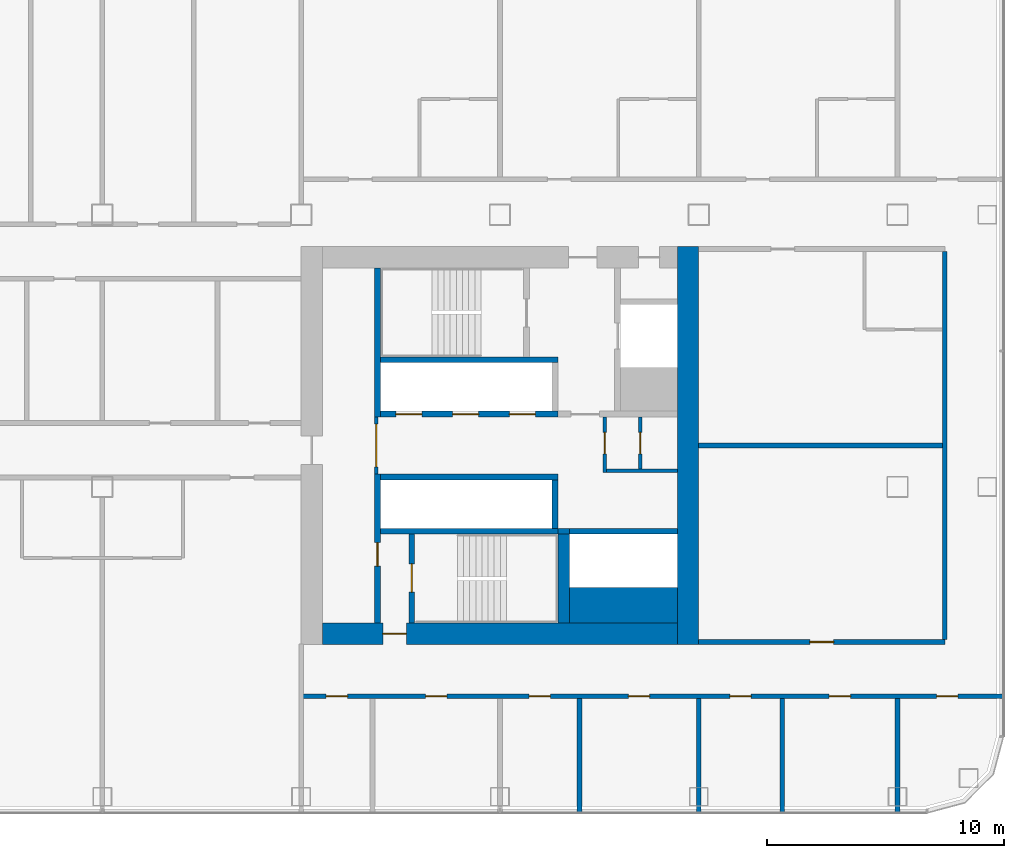
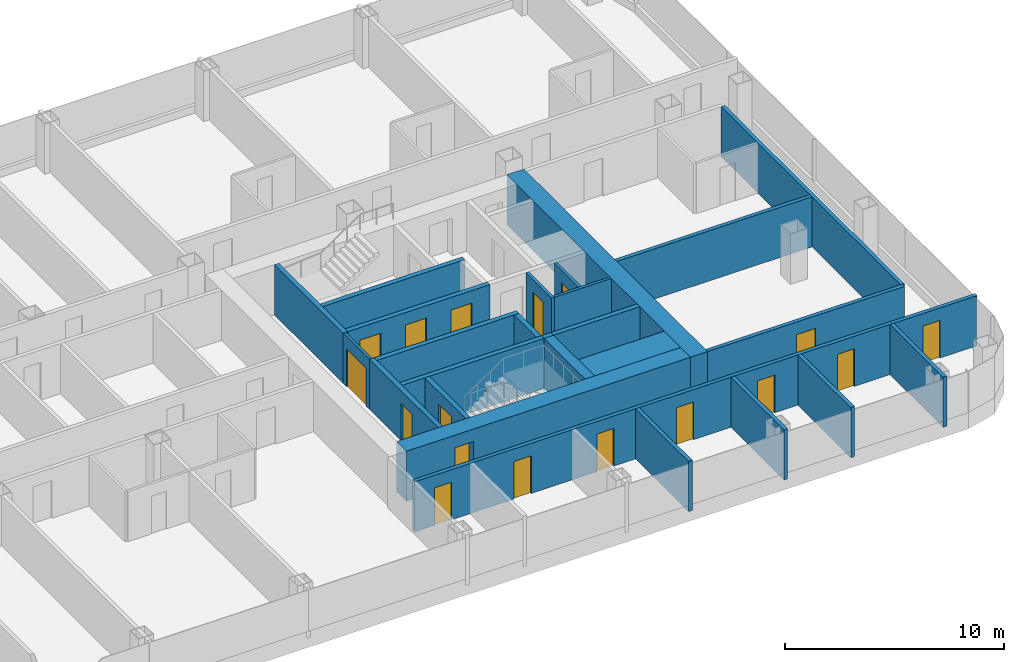
# One storey, part 19 of 29: 26 walls, 17 doors, 17 openings.
"""IFC4 building model written with IfcOpenShell, lengths in metres."""

from ifc_helpers import new_model, si_unit, direction, frame, frame_2d, origin, place, context, subcontext, project, spatial, rectangle, extrude, material, layer, layer_set, type_object, element, fill, save


model = new_model("IFC4")

# Units and contexts
model_context = context("Model", 3, precision=1e-05, world=origin(), true_north=direction((0.0, 1.0)))
body_context = subcontext(model_context, "Body", "Model", "MODEL_VIEW")
ifc_project = project(units=[si_unit("LENGTHUNIT", "METRE"), si_unit("AREAUNIT", "SQUARE_METRE"), si_unit("VOLUMEUNIT", "CUBIC_METRE"), si_unit("PLANEANGLEUNIT", "RADIAN"), si_unit("MASSUNIT", "GRAM", prefix="KILO")], contexts=[model_context])

# Site, building, storey
site_placement = place(None, origin())
site = spatial("IfcSite", under=ifc_project, at=site_placement, CompositionType="ELEMENT")
building_placement = place(site_placement, origin())
building = spatial("IfcBuilding", under=site, at=building_placement, Name="Hakoniwa Tower and Hamabe Station Hall", CompositionType="ELEMENT")
storey_placement = place(building_placement, frame((0.0, 0.0, 91.39990234375)))
storey = spatial("IfcBuildingStorey", under=building, at=storey_placement, Name="L25", CompositionType="ELEMENT", Elevation=91.39990234375)

# Wall, opening, door
ifc_material_1 = material(Name="Gypsum board partition")
ifc_layer_1 = layer(ifc_material_1, 0.14990234375)
ifc_layer_set_1 = layer_set([ifc_layer_1], Name="CORE PARTITION 150 EI 60")
wall_type_1 = type_object("IfcWallType", Name="CORE PARTITION 150 EI 60", PredefinedType="PARTITIONING", material=ifc_layer_set_1)
wall_1_placement = place(storey_placement, frame((19.97509765625, -1.199951171875, 0.0), z_axis=(0.0, 0.0, 1.0), x_axis=(0.0, 1.0, 0.0)))
wall_1 = element("IfcWall", 1, at=wall_1_placement, inside=storey, type_object=wall_type_1, Name="Core partition PL0 east", PredefinedType="PARTITIONING", context=body_context, shape_type="SweptSolid", body=[
    extrude(rectangle(XDim=2.39990234375, YDim=0.14990234375, at=frame_2d((1.199951171875, 0.0))), origin(), (0.0, 0.0, 1.0), 2.800048828125),
])
opening_1_placement = place(wall_1_placement, frame((0.300048828125, 0.0, 0.0)))
opening_1 = element("IfcOpeningElement", 2, at=opening_1_placement, cuts=wall_1, Name="Opening CD-E-LP0-18", PredefinedType="OPENING", context=body_context, shape_type="SweptSolid", body=[
    extrude(rectangle(XDim=1.800048828125, YDim=2.10009765625, at=frame_2d((0.89990234375, 1.050048828125))), frame((0.0, 0.0849609375, 0.0), z_axis=(0.0, -1.0, 0.0), x_axis=(1.0, 0.0, 0.0)), (0.0, 0.0, 1.0), 0.169921875),
])
ifc_material_2 = material(Name="Steel fire door", Category="steel")
door_type_1 = type_object("IfcDoorType", Name="CORE DOOR 1800 FD60", OperationType="DOUBLE_DOOR_SINGLE_SWING", PredefinedType="DOOR", material=ifc_material_2)
door_1_placement = place(opening_1_placement, origin())
door_1 = element("IfcDoor", 3, at=door_1_placement, inside=storey, type_object=door_type_1, Name="Lift lobby partition door", OperationType="DOUBLE_DOOR_SINGLE_SWING", OverallHeight=2.10009765625, OverallWidth=1.800048828125, PredefinedType="DOOR", context=body_context, shape_type="SweptSolid", body=[
    extrude(rectangle(XDim=1.800048828125, YDim=2.10009765625, at=frame_2d((0.89990234375, 1.050048828125))), frame((0.0, 0.02490234375, 0.0), z_axis=(0.0, -1.0, 0.0), x_axis=(1.0, 0.0, 0.0)), (0.0, 0.0, 1.0), 0.050048828125),
])
fill(opening_1, door_1)

wall_2_placement = place(storey_placement, frame((29.625, -1.14990234375, 0.0), z_axis=(0.0, 0.0, 1.0), x_axis=(0.0, 1.0, 0.0)))
wall_2 = element("IfcWall", 4, at=wall_2_placement, inside=storey, type_object=wall_type_1, Name="Core partition PW0 east", PredefinedType="PARTITIONING", context=body_context, shape_type="SweptSolid", body=[
    extrude(rectangle(XDim=2.349853515625, YDim=0.14990234375, at=frame_2d((1.1748046875, 0.0))), origin(), (0.0, 0.0, 1.0), 2.800048828125),
])
opening_2_placement = place(wall_2_placement, frame((0.800048828125, 0.0, 0.0)))
opening_2 = element("IfcOpeningElement", 5, at=opening_2_placement, cuts=wall_2, Name="Opening CD-E-RM1-9", PredefinedType="OPENING", context=body_context, shape_type="SweptSolid", body=[
    extrude(rectangle(XDim=0.89990234375, YDim=2.10009765625, at=frame_2d((0.449951171875, 1.050048828125))), frame((0.0, 0.0849609375, 0.0), z_axis=(0.0, -1.0, 0.0), x_axis=(1.0, 0.0, 0.0)), (0.0, 0.0, 1.0), 0.169921875),
])
ifc_material_3 = material(Name="Steel fire door", Category="steel")
door_type_2 = type_object("IfcDoorType", Name="CORE DOOR 900 FD30", OperationType="NOTDEFINED", PredefinedType="DOOR", material=ifc_material_3)
door_2_placement = place(opening_2_placement, origin())
door_2 = element("IfcDoor", 6, at=door_2_placement, inside=storey, type_object=door_type_2, Name="Store room door", OperationType="SINGLE_SWING_LEFT", OverallHeight=2.10009765625, OverallWidth=0.89990234375, PredefinedType="DOOR", context=body_context, shape_type="SweptSolid", body=[
    extrude(rectangle(XDim=0.89990234375, YDim=2.10009765625, at=frame_2d((0.449951171875, 1.050048828125))), frame((0.0, 0.02490234375, 0.0), z_axis=(0.0, -1.0, 0.0), x_axis=(1.0, 0.0, 0.0)), (0.0, 0.0, 1.0), 0.050048828125),
])
fill(opening_2, door_2)

# Wall
wall_3_placement = place(storey_placement, frame((29.699951171875, -1.074951171875, 0.0), z_axis=(0.0, 0.0, 1.0), x_axis=(1.0, 0.0, 0.0)))
element("IfcWall", 7, at=wall_3_placement, inside=storey, type_object=wall_type_1, Name="Core partition PS east", PredefinedType="PARTITIONING", context=body_context, shape_type="SweptSolid", body=[
    extrude(rectangle(XDim=3.0, YDim=0.14990234375, at=frame_2d((1.5, 0.0))), origin(), (0.0, 0.0, 1.0), 2.800048828125),
])

# Wall, opening, door
wall_4_placement = place(storey_placement, frame((31.125, -1.0, 0.0), z_axis=(0.0, 0.0, 1.0), x_axis=(0.0, 1.0, 0.0)))
wall_4 = element("IfcWall", 8, at=wall_4_placement, inside=storey, type_object=wall_type_1, Name="Core partition PW1 east", PredefinedType="PARTITIONING", context=body_context, shape_type="SweptSolid", body=[
    extrude(rectangle(XDim=2.199951171875, YDim=0.14990234375, at=frame_2d((1.10009765625, 0.0))), origin(), (0.0, 0.0, 1.0), 2.800048828125),
])
opening_3_placement = place(wall_4_placement, frame((0.64990234375, 0.0, 0.0)))
opening_3 = element("IfcOpeningElement", 9, at=opening_3_placement, cuts=wall_4, Name="Opening CD-E-RM2-9", PredefinedType="OPENING", context=body_context, shape_type="SweptSolid", body=[
    extrude(rectangle(XDim=0.89990234375, YDim=2.10009765625, at=frame_2d((0.449951171875, 1.050048828125))), frame((0.0, 0.0849609375, 0.0), z_axis=(0.0, -1.0, 0.0), x_axis=(1.0, 0.0, 0.0)), (0.0, 0.0, 1.0), 0.169921875),
])
door_3_placement = place(opening_3_placement, origin())
door_3 = element("IfcDoor", 10, at=door_3_placement, inside=storey, type_object=door_type_2, Name="Store room door", OperationType="SINGLE_SWING_LEFT", OverallHeight=2.10009765625, OverallWidth=0.89990234375, PredefinedType="DOOR", context=body_context, shape_type="SweptSolid", body=[
    extrude(rectangle(XDim=0.89990234375, YDim=2.10009765625, at=frame_2d((0.449951171875, 1.050048828125))), frame((0.0, 0.02490234375, 0.0), z_axis=(0.0, -1.0, 0.0), x_axis=(1.0, 0.0, 0.0)), (0.0, 0.0, 1.0), 0.050048828125),
])
fill(opening_3, door_3)

# Wall
ifc_material_4 = material(Name="Concrete C72", Category="concrete")
ifc_layer_2 = layer(ifc_material_4, 0.89990234375)
ifc_layer_set_2 = layer_set([ifc_layer_2], Name="CORE WALL 900 C72")
wall_type_2 = type_object("IfcWallType", Name="CORE WALL 900 C72", PredefinedType="SHEAR", material=ifc_layer_set_2)
wall_5_placement = place(storey_placement, frame((33.14990234375, -8.39990234375, 0.0), z_axis=(0.0, 0.0, 1.0), x_axis=(0.0, 1.0, 0.0)))
element("IfcWall", 11, at=wall_5_placement, inside=storey, type_object=wall_type_2, Name="Core wall OUTER east", PredefinedType="SHEAR", context=body_context, shape_type="SweptSolid", body=[
    extrude(rectangle(XDim=16.7998046875, YDim=0.89990234375, at=frame_2d((8.39990234375, 0.0))), origin(), (0.0, 0.0, 1.0), 2.800048828125),
])

# Wall, opening, door
wall_6_placement = place(storey_placement, frame((17.699951171875, -7.949951171875, 0.0), z_axis=(0.0, 0.0, 1.0), x_axis=(1.0, 0.0, 0.0)))
wall_6 = element("IfcWall", 12, at=wall_6_placement, inside=storey, type_object=wall_type_2, Name="Core wall SOUTH east", PredefinedType="SHEAR", context=body_context, shape_type="SweptSolid", body=[
    extrude(rectangle(XDim=15.0, YDim=0.89990234375, at=frame_2d((7.5, 0.0))), origin(), (0.0, 0.0, 1.0), 2.800048828125),
])
opening_4_placement = place(wall_6_placement, frame((2.550048828125, 0.0, 0.0)))
opening_4 = element("IfcOpeningElement", 13, at=opening_4_placement, cuts=wall_6, Name="Opening CD-E-FS3-10", PredefinedType="OPENING", context=body_context, shape_type="SweptSolid", body=[
    extrude(rectangle(XDim=1.0, YDim=2.10009765625, at=frame_2d((0.5, 1.050048828125))), frame((0.0, 0.4599609375, 0.0), z_axis=(0.0, -1.0, 0.0), x_axis=(1.0, 0.0, 0.0)), (0.0, 0.0, 1.0), 0.919921875),
])
ifc_material_5 = material(Name="Steel fire door", Category="steel")
door_type_3 = type_object("IfcDoorType", Name="CORE DOOR 1000 FD60", OperationType="NOTDEFINED", PredefinedType="DOOR", material=ifc_material_5)
door_4_placement = place(opening_4_placement, origin())
door_4 = element("IfcDoor", 14, at=door_4_placement, inside=storey, type_object=door_type_3, Name="Stair vestibule door", OperationType="SINGLE_SWING_RIGHT", OverallHeight=2.10009765625, OverallWidth=1.0, PredefinedType="DOOR", context=body_context, shape_type="SweptSolid", body=[
    extrude(rectangle(XDim=1.0, YDim=2.10009765625, at=frame_2d((0.5, 1.050048828125))), frame((0.0, 0.02490234375, 0.0), z_axis=(0.0, -1.0, 0.0), x_axis=(1.0, 0.0, 0.0)), (0.0, 0.0, 1.0), 0.050048828125),
])
fill(opening_4, door_4)

# Walls
ifc_material_6 = material(Name="Concrete C72", Category="concrete")
ifc_layer_3 = layer(ifc_material_6, 1.5)
ifc_layer_set_3 = layer_set([ifc_layer_3], Name="CORE WEB WALL 1500 C72")
wall_type_3 = type_object("IfcWallType", Name="CORE WEB WALL 1500 C72", PredefinedType="SHEAR", material=ifc_layer_set_3)
wall_7_placement = place(storey_placement, frame((28.14990234375, -6.75, 0.0), z_axis=(0.0, 0.0, 1.0), x_axis=(1.0, 0.0, 0.0)))
element("IfcWall", 15, at=wall_7_placement, inside=storey, type_object=wall_type_3, Name="Core wall SER east", PredefinedType="SHEAR", context=body_context, shape_type="SweptSolid", body=[
    extrude(rectangle(XDim=4.550048828125, YDim=1.5, at=frame_2d((2.27490234375, 0.0))), origin(), (0.0, 0.0, 1.0), 2.800048828125),
])
ifc_material_7 = material(Name="Concrete C72", Category="concrete")
ifc_layer_4 = layer(ifc_material_7, 0.25)
ifc_layer_set_4 = layer_set([ifc_layer_4], Name="CORE WEB WALL 250 C72")
wall_type_4 = type_object("IfcWallType", Name="CORE WEB WALL 250 C72", PredefinedType="SHEAR", material=ifc_layer_set_4)
wall_8_placement = place(storey_placement, frame((20.02490234375, 1.199951171875, 0.0), z_axis=(0.0, 0.0, 1.0), x_axis=(0.0, 1.0, 0.0)))
element("IfcWall", 16, at=wall_8_placement, inside=storey, type_object=wall_type_4, Name="Core wall W1N east", PredefinedType="SHEAR", context=body_context, shape_type="SweptSolid", body=[
    extrude(rectangle(XDim=6.300048828125, YDim=0.25, at=frame_2d((3.14990234375, 0.0))), origin(), (0.0, 0.0, 1.0), 2.800048828125),
])

# Wall, opening, door
wall_9_placement = place(storey_placement, frame((20.02490234375, -7.5, 0.0), z_axis=(0.0, 0.0, 1.0), x_axis=(0.0, 1.0, 0.0)))
wall_9 = element("IfcWall", 17, at=wall_9_placement, inside=storey, type_object=wall_type_4, Name="Core wall W1S east", PredefinedType="SHEAR", context=body_context, shape_type="SweptSolid", body=[
    extrude(rectangle(XDim=6.300048828125, YDim=0.25, at=frame_2d((3.14990234375, 0.0))), origin(), (0.0, 0.0, 1.0), 2.800048828125),
])
opening_5_placement = place(wall_9_placement, frame((2.39990234375, 0.0, 0.0)))
opening_5 = element("IfcOpeningElement", 18, at=opening_5_placement, cuts=wall_9, Name="Opening CD-E-VS-10", PredefinedType="OPENING", context=body_context, shape_type="SweptSolid", body=[
    extrude(rectangle(XDim=1.0, YDim=2.10009765625, at=frame_2d((0.5, 1.050048828125))), frame((0.0, 0.135009765625, 0.0), z_axis=(0.0, -1.0, 0.0), x_axis=(1.0, 0.0, 0.0)), (0.0, 0.0, 1.0), 0.27001953125),
])
door_5_placement = place(opening_5_placement, origin())
door_5 = element("IfcDoor", 19, at=door_5_placement, inside=storey, type_object=door_type_3, Name="Stair vestibule door", OperationType="SINGLE_SWING_RIGHT", OverallHeight=2.10009765625, OverallWidth=1.0, PredefinedType="DOOR", context=body_context, shape_type="SweptSolid", body=[
    extrude(rectangle(XDim=1.0, YDim=2.10009765625, at=frame_2d((0.5, 1.050048828125))), frame((0.0, 0.02490234375, 0.0), z_axis=(0.0, -1.0, 0.0), x_axis=(1.0, 0.0, 0.0)), (0.0, 0.0, 1.0), 0.050048828125),
])
fill(opening_5, door_5)

# Wall, openings, doors
wall_10_placement = place(storey_placement, frame((20.14990234375, 1.324951171875, 0.0), z_axis=(0.0, 0.0, 1.0), x_axis=(1.0, 0.0, 0.0)))
wall_10 = element("IfcWall", 20, at=wall_10_placement, inside=storey, type_object=wall_type_4, Name="Core wall NF east", PredefinedType="SHEAR", context=body_context, shape_type="SweptSolid", body=[
    extrude(rectangle(XDim=7.5, YDim=0.25, at=frame_2d((3.75, 0.0))), origin(), (0.0, 0.0, 1.0), 2.800048828125),
])
opening_6_placement = place(wall_10_placement, frame((0.64990234375, 0.0, 0.0)))
opening_6 = element("IfcOpeningElement", 21, at=opening_6_placement, cuts=wall_10, Name="Opening LD-LR4", PredefinedType="OPENING", context=body_context, shape_type="SweptSolid", body=[
    extrude(rectangle(XDim=1.10009765625, YDim=2.10009765625, at=frame_2d((0.550048828125, 1.050048828125))), frame((0.0, 0.135009765625, 0.0), z_axis=(0.0, -1.0, 0.0), x_axis=(1.0, 0.0, 0.0)), (0.0, 0.0, 1.0), 0.27001953125),
])
opening_7_placement = place(wall_10_placement, frame((3.050048828125, 0.0, 0.0)))
opening_7 = element("IfcOpeningElement", 22, at=opening_7_placement, cuts=wall_10, Name="Opening LD-LR5", PredefinedType="OPENING", context=body_context, shape_type="SweptSolid", body=[
    extrude(rectangle(XDim=1.10009765625, YDim=2.10009765625, at=frame_2d((0.550048828125, 1.050048828125))), frame((0.0, 0.135009765625, 0.0), z_axis=(0.0, -1.0, 0.0), x_axis=(1.0, 0.0, 0.0)), (0.0, 0.0, 1.0), 0.27001953125),
])
opening_8_placement = place(wall_10_placement, frame((5.449951171875, 0.0, 0.0)))
opening_8 = element("IfcOpeningElement", 23, at=opening_8_placement, cuts=wall_10, Name="Opening LD-LR6", PredefinedType="OPENING", context=body_context, shape_type="SweptSolid", body=[
    extrude(rectangle(XDim=1.10009765625, YDim=2.10009765625, at=frame_2d((0.550048828125, 1.050048828125))), frame((0.0, 0.135009765625, 0.0), z_axis=(0.0, -1.0, 0.0), x_axis=(1.0, 0.0, 0.0)), (0.0, 0.0, 1.0), 0.27001953125),
])
ifc_material_8 = material(Name="Stainless steel SUS304", Category="steel")
door_type_4 = type_object("IfcDoorType", Name="LIFT LANDING DOOR 1100 FD60", OperationType="DOUBLE_DOOR_SLIDING", PredefinedType="DOOR", material=ifc_material_8)
door_6_placement = place(opening_6_placement, origin())
door_6 = element("IfcDoor", 24, at=door_6_placement, inside=storey, type_object=door_type_4, Name="Lift landing door LR4 L25", OperationType="DOUBLE_DOOR_SLIDING", OverallHeight=2.10009765625, OverallWidth=1.10009765625, PredefinedType="DOOR", context=body_context, shape_type="SweptSolid", body=[
    extrude(rectangle(XDim=1.10009765625, YDim=2.10009765625, at=frame_2d((0.550048828125, 1.050048828125))), frame((0.0, 0.02490234375, 0.0), z_axis=(0.0, -1.0, 0.0), x_axis=(1.0, 0.0, 0.0)), (0.0, 0.0, 1.0), 0.050048828125),
])
fill(opening_6, door_6)
door_7_placement = place(opening_7_placement, origin())
door_7 = element("IfcDoor", 25, at=door_7_placement, inside=storey, type_object=door_type_4, Name="Lift landing door LR5 L25", OperationType="DOUBLE_DOOR_SLIDING", OverallHeight=2.10009765625, OverallWidth=1.10009765625, PredefinedType="DOOR", context=body_context, shape_type="SweptSolid", body=[
    extrude(rectangle(XDim=1.10009765625, YDim=2.10009765625, at=frame_2d((0.550048828125, 1.050048828125))), frame((0.0, 0.02490234375, 0.0), z_axis=(0.0, -1.0, 0.0), x_axis=(1.0, 0.0, 0.0)), (0.0, 0.0, 1.0), 0.050048828125),
])
fill(opening_7, door_7)
door_8_placement = place(opening_8_placement, origin())
door_8 = element("IfcDoor", 26, at=door_8_placement, inside=storey, type_object=door_type_4, Name="Lift landing door LR6 L25", OperationType="DOUBLE_DOOR_SLIDING", OverallHeight=2.10009765625, OverallWidth=1.10009765625, PredefinedType="DOOR", context=body_context, shape_type="SweptSolid", body=[
    extrude(rectangle(XDim=1.10009765625, YDim=2.10009765625, at=frame_2d((0.550048828125, 1.050048828125))), frame((0.0, 0.02490234375, 0.0), z_axis=(0.0, -1.0, 0.0), x_axis=(1.0, 0.0, 0.0)), (0.0, 0.0, 1.0), 0.050048828125),
])
fill(opening_8, door_8)

# Walls
for number, where, z_axis, x_axis, name in (
    (27, (20.14990234375, 3.625, 0.0), (0.0, 0.0, 1.0), (1.0, 0.0, 0.0), "Core wall NR east"),
    (28, (20.14990234375, -1.324951171875, 0.0), (0.0, 0.0, 1.0), (1.0, 0.0, 0.0), "Core wall SF east"),
):
    element("IfcWall", number, at=place(storey_placement, frame(where, z_axis=z_axis, x_axis=x_axis)), inside=storey, type_object=wall_type_4, Name=name, PredefinedType="SHEAR", context=body_context, shape_type="SweptSolid", body=[
        extrude(rectangle(XDim=7.5, YDim=0.25, at=frame_2d((3.75, 0.0))), origin(), (0.0, 0.0, 1.0), 2.800048828125),
    ])
wall_11_placement = place(storey_placement, frame((27.52490234375, -3.5, 0.0), z_axis=(0.0, 0.0, 1.0), x_axis=(0.0, 1.0, 0.0)))
element("IfcWall", 29, at=wall_11_placement, inside=storey, type_object=wall_type_4, Name="Core wall SE east", PredefinedType="SHEAR", context=body_context, shape_type="SweptSolid", body=[
    extrude(rectangle(XDim=2.050048828125, YDim=0.25, at=frame_2d((1.02490234375, 0.0))), origin(), (0.0, 0.0, 1.0), 2.800048828125),
])
wall_12_placement = place(storey_placement, frame((20.14990234375, -3.625, 0.0), z_axis=(0.0, 0.0, 1.0), x_axis=(1.0, 0.0, 0.0)))
element("IfcWall", 30, at=wall_12_placement, inside=storey, type_object=wall_type_4, Name="Core wall SR east", PredefinedType="SHEAR", context=body_context, shape_type="SweptSolid", body=[
    extrude(rectangle(XDim=7.5, YDim=0.25, at=frame_2d((3.75, 0.0))), origin(), (0.0, 0.0, 1.0), 2.800048828125),
])

# Wall, opening, door
wall_13_placement = place(storey_placement, frame((21.47509765625, -7.5, 0.0), z_axis=(0.0, 0.0, 1.0), x_axis=(0.0, 1.0, 0.0)))
wall_13 = element("IfcWall", 31, at=wall_13_placement, inside=storey, type_object=wall_type_4, Name="Core wall VE east", PredefinedType="SHEAR", context=body_context, shape_type="SweptSolid", body=[
    extrude(rectangle(XDim=3.75, YDim=0.25, at=frame_2d((1.875, 0.0))), origin(), (0.0, 0.0, 1.0), 2.800048828125),
])
opening_9_placement = place(wall_13_placement, frame((1.300048828125, 0.0, 0.0)))
opening_9 = element("IfcOpeningElement", 32, at=opening_9_placement, cuts=wall_13, Name="Opening CD-E-SS-12", PredefinedType="OPENING", context=body_context, shape_type="SweptSolid", body=[
    extrude(rectangle(XDim=1.199951171875, YDim=2.10009765625, at=frame_2d((0.60009765625, 1.050048828125))), frame((0.0, 0.135009765625, 0.0), z_axis=(0.0, -1.0, 0.0), x_axis=(1.0, 0.0, 0.0)), (0.0, 0.0, 1.0), 0.27001953125),
])
ifc_material_9 = material(Name="Steel fire door", Category="steel")
door_type_5 = type_object("IfcDoorType", Name="CORE DOOR 1200 FD60", OperationType="DOUBLE_DOOR_SINGLE_SWING", PredefinedType="DOOR", material=ifc_material_9)
door_9_placement = place(opening_9_placement, origin())
door_9 = element("IfcDoor", 33, at=door_9_placement, inside=storey, type_object=door_type_5, Name="Escape stair door", OperationType="DOUBLE_DOOR_SINGLE_SWING", OverallHeight=2.10009765625, OverallWidth=1.199951171875, PredefinedType="DOOR", context=body_context, shape_type="SweptSolid", body=[
    extrude(rectangle(XDim=1.199951171875, YDim=2.10009765625, at=frame_2d((0.60009765625, 1.050048828125))), frame((0.0, 0.02490234375, 0.0), z_axis=(0.0, -1.0, 0.0), x_axis=(1.0, 0.0, 0.0)), (0.0, 0.0, 1.0), 0.050048828125),
])
fill(opening_9, door_9)

# Walls
wall_14_placement = place(storey_placement, frame((28.14990234375, -3.625, 0.0), z_axis=(0.0, 0.0, 1.0), x_axis=(1.0, 0.0, 0.0)))
element("IfcWall", 34, at=wall_14_placement, inside=storey, type_object=wall_type_4, Name="Core wall SEF east", PredefinedType="SHEAR", context=body_context, shape_type="SweptSolid", body=[
    extrude(rectangle(XDim=4.550048828125, YDim=0.25, at=frame_2d((2.27490234375, 0.0))), origin(), (0.0, 0.0, 1.0), 2.800048828125),
])
wall_15_placement = place(storey_placement, frame((27.64990234375, -3.625, 0.0), z_axis=(0.0, 0.0, 1.0), x_axis=(1.0, 0.0, 0.0)))
element("IfcWall", 35, at=wall_15_placement, inside=storey, type_object=wall_type_4, Name="Core wall SRK east", PredefinedType="SHEAR", context=body_context, shape_type="SweptSolid", body=[
    extrude(rectangle(XDim=0.5, YDim=0.25, at=frame_2d((0.25, 0.0))), origin(), (0.0, 0.0, 1.0), 2.800048828125),
])
ifc_material_10 = material(Name="Concrete C72", Category="concrete")
ifc_layer_5 = layer(ifc_material_10, 0.5)
ifc_layer_set_5 = layer_set([ifc_layer_5], Name="CORE WEB WALL 500 C72")
wall_type_5 = type_object("IfcWallType", Name="CORE WEB WALL 500 C72", PredefinedType="SHEAR", material=ifc_layer_set_5)
wall_16_placement = place(storey_placement, frame((27.89990234375, -7.5, 0.0), z_axis=(0.0, 0.0, 1.0), x_axis=(0.0, 1.0, 0.0)))
element("IfcWall", 36, at=wall_16_placement, inside=storey, type_object=wall_type_5, Name="Core wall SSE east", PredefinedType="SHEAR", context=body_context, shape_type="SweptSolid", body=[
    extrude(rectangle(XDim=3.75, YDim=0.5, at=frame_2d((1.875, 0.0))), origin(), (0.0, 0.0, 1.0), 2.800048828125),
])

# Wall, openings, doors
ifc_material_11 = material(Name="Fire-rated gypsum board partition", Category="gypsum")
ifc_layer_6 = layer(ifc_material_11, 0.199951171875)
ifc_layer_set_6 = layer_set([ifc_layer_6], Name="Corridor Wall 200")
wall_type_6 = type_object("IfcWallType", Name="Corridor Wall 200", PredefinedType="PARTITIONING", material=ifc_layer_set_6)
wall_17_placement = place(storey_placement, frame((16.800048828125, -10.60009765625, 0.0), z_axis=(0.0, 0.0, 1.0), x_axis=(1.0, 0.0, 0.0)))
wall_17 = element("IfcWall", 37, at=wall_17_placement, inside=storey, type_object=wall_type_6, Name="GW-L25-002", PredefinedType="PARTITIONING", context=body_context, shape_type="SweptSolid", body=[
    extrude(rectangle(XDim=29.699951171875, YDim=0.199951171875, at=frame_2d((14.85009765625, 0.0))), origin(), (0.0, 0.0, 1.0), 2.800048828125),
])
opening_10_placement = place(wall_17_placement, frame((1.06005859375, 0.0, 0.0)))
opening_10 = element("IfcOpeningElement", 38, at=opening_10_placement, cuts=wall_17, Name="Opening GD-G2A1-07", PredefinedType="OPENING", context=body_context, shape_type="SweptSolid", body=[
    extrude(rectangle(XDim=0.89990234375, YDim=2.10009765625, at=frame_2d((0.449951171875, 1.050048828125))), frame((0.0, 0.10986328125, 0.0), z_axis=(0.0, -1.0, 0.0), x_axis=(1.0, 0.0, 0.0)), (0.0, 0.0, 1.0), 0.219970703125),
])
opening_11_placement = place(wall_17_placement, frame((5.260009765625, 0.0, 0.0)))
opening_11 = element("IfcOpeningElement", 39, at=opening_11_placement, cuts=wall_17, Name="Opening GD-G2A1-08", PredefinedType="OPENING", context=body_context, shape_type="SweptSolid", body=[
    extrude(rectangle(XDim=0.89990234375, YDim=2.10009765625, at=frame_2d((0.449951171875, 1.050048828125))), frame((0.0, 0.10986328125, 0.0), z_axis=(0.0, -1.0, 0.0), x_axis=(1.0, 0.0, 0.0)), (0.0, 0.0, 1.0), 0.219970703125),
])
opening_12_placement = place(wall_17_placement, frame((9.6298828125, 0.0, 0.0)))
opening_12 = element("IfcOpeningElement", 40, at=opening_12_placement, cuts=wall_17, Name="Opening GD-G2A1-09", PredefinedType="OPENING", context=body_context, shape_type="SweptSolid", body=[
    extrude(rectangle(XDim=0.89990234375, YDim=2.10009765625, at=frame_2d((0.449951171875, 1.050048828125))), frame((0.0, 0.10986328125, 0.0), z_axis=(0.0, -1.0, 0.0), x_axis=(1.0, 0.0, 0.0)), (0.0, 0.0, 1.0), 0.219970703125),
])
opening_13_placement = place(wall_17_placement, frame((13.830078125, 0.0, 0.0)))
opening_13 = element("IfcOpeningElement", 41, at=opening_13_placement, cuts=wall_17, Name="Opening GD-G2A1-10", PredefinedType="OPENING", context=body_context, shape_type="SweptSolid", body=[
    extrude(rectangle(XDim=0.89990234375, YDim=2.10009765625, at=frame_2d((0.449951171875, 1.050048828125))), frame((0.0, 0.10986328125, 0.0), z_axis=(0.0, -1.0, 0.0), x_axis=(1.0, 0.0, 0.0)), (0.0, 0.0, 1.0), 0.219970703125),
])
opening_14_placement = place(wall_17_placement, frame((18.114990234375, 0.0, 0.0)))
opening_14 = element("IfcOpeningElement", 42, at=opening_14_placement, cuts=wall_17, Name="Opening GD-G2A1-11", PredefinedType="OPENING", context=body_context, shape_type="SweptSolid", body=[
    extrude(rectangle(XDim=0.89990234375, YDim=2.10009765625, at=frame_2d((0.449951171875, 1.050048828125))), frame((0.0, 0.10986328125, 0.0), z_axis=(0.0, -1.0, 0.0), x_axis=(1.0, 0.0, 0.0)), (0.0, 0.0, 1.0), 0.219970703125),
])
opening_15_placement = place(wall_17_placement, frame((22.31494140625, 0.0, 0.0)))
opening_15 = element("IfcOpeningElement", 43, at=opening_15_placement, cuts=wall_17, Name="Opening GD-G2A1-12", PredefinedType="OPENING", context=body_context, shape_type="SweptSolid", body=[
    extrude(rectangle(XDim=0.89990234375, YDim=2.10009765625, at=frame_2d((0.449951171875, 1.050048828125))), frame((0.0, 0.10986328125, 0.0), z_axis=(0.0, -1.0, 0.0), x_axis=(1.0, 0.0, 0.0)), (0.0, 0.0, 1.0), 0.219970703125),
])
opening_16_placement = place(wall_17_placement, frame((26.85009765625, 0.0, 0.0)))
opening_16 = element("IfcOpeningElement", 44, at=opening_16_placement, cuts=wall_17, Name="Opening GD-G2A1-13", PredefinedType="OPENING", context=body_context, shape_type="SweptSolid", body=[
    extrude(rectangle(XDim=0.89990234375, YDim=2.10009765625, at=frame_2d((0.449951171875, 1.050048828125))), frame((0.0, 0.10986328125, 0.0), z_axis=(0.0, -1.0, 0.0), x_axis=(1.0, 0.0, 0.0)), (0.0, 0.0, 1.0), 0.219970703125),
])
ifc_material_12 = material(Name="Timber door leaf", Category="wood")
door_type_6 = type_object("IfcDoorType", Name="Service Door 900", OperationType="SINGLE_SWING_LEFT", PredefinedType="DOOR", material=ifc_material_12)
door_10_placement = place(opening_10_placement, origin())
door_10 = element("IfcDoor", 45, at=door_10_placement, inside=storey, type_object=door_type_6, Name="Door GD-G2A1-07", OperationType="SINGLE_SWING_RIGHT", OverallHeight=2.10009765625, OverallWidth=0.89990234375, PredefinedType="DOOR", context=body_context, shape_type="SweptSolid", body=[
    extrude(rectangle(XDim=0.89990234375, YDim=2.10009765625, at=frame_2d((0.449951171875, 1.050048828125))), frame((0.0, 0.02490234375, 0.0), z_axis=(0.0, -1.0, 0.0), x_axis=(1.0, 0.0, 0.0)), (0.0, 0.0, 1.0), 0.050048828125),
])
fill(opening_10, door_10)
door_11_placement = place(opening_11_placement, origin())
door_11 = element("IfcDoor", 46, at=door_11_placement, inside=storey, type_object=door_type_6, Name="Door GD-G2A1-08", OperationType="SINGLE_SWING_LEFT", OverallHeight=2.10009765625, OverallWidth=0.89990234375, PredefinedType="DOOR", context=body_context, shape_type="SweptSolid", body=[
    extrude(rectangle(XDim=0.89990234375, YDim=2.10009765625, at=frame_2d((0.449951171875, 1.050048828125))), frame((0.0, 0.02490234375, 0.0), z_axis=(0.0, -1.0, 0.0), x_axis=(1.0, 0.0, 0.0)), (0.0, 0.0, 1.0), 0.050048828125),
])
fill(opening_11, door_11)
door_12_placement = place(opening_12_placement, origin())
door_12 = element("IfcDoor", 47, at=door_12_placement, inside=storey, type_object=door_type_6, Name="Door GD-G2A1-09", OperationType="SINGLE_SWING_RIGHT", OverallHeight=2.10009765625, OverallWidth=0.89990234375, PredefinedType="DOOR", context=body_context, shape_type="SweptSolid", body=[
    extrude(rectangle(XDim=0.89990234375, YDim=2.10009765625, at=frame_2d((0.449951171875, 1.050048828125))), frame((0.0, 0.02490234375, 0.0), z_axis=(0.0, -1.0, 0.0), x_axis=(1.0, 0.0, 0.0)), (0.0, 0.0, 1.0), 0.050048828125),
])
fill(opening_12, door_12)
door_13_placement = place(opening_13_placement, origin())
door_13 = element("IfcDoor", 48, at=door_13_placement, inside=storey, type_object=door_type_6, Name="Door GD-G2A1-10", OperationType="SINGLE_SWING_RIGHT", OverallHeight=2.10009765625, OverallWidth=0.89990234375, PredefinedType="DOOR", context=body_context, shape_type="SweptSolid", body=[
    extrude(rectangle(XDim=0.89990234375, YDim=2.10009765625, at=frame_2d((0.449951171875, 1.050048828125))), frame((0.0, 0.02490234375, 0.0), z_axis=(0.0, -1.0, 0.0), x_axis=(1.0, 0.0, 0.0)), (0.0, 0.0, 1.0), 0.050048828125),
])
fill(opening_13, door_13)
door_14_placement = place(opening_14_placement, origin())
door_14 = element("IfcDoor", 49, at=door_14_placement, inside=storey, type_object=door_type_6, Name="Door GD-G2A1-11", OperationType="SINGLE_SWING_LEFT", OverallHeight=2.10009765625, OverallWidth=0.89990234375, PredefinedType="DOOR", context=body_context, shape_type="SweptSolid", body=[
    extrude(rectangle(XDim=0.89990234375, YDim=2.10009765625, at=frame_2d((0.449951171875, 1.050048828125))), frame((0.0, 0.02490234375, 0.0), z_axis=(0.0, -1.0, 0.0), x_axis=(1.0, 0.0, 0.0)), (0.0, 0.0, 1.0), 0.050048828125),
])
fill(opening_14, door_14)
door_15_placement = place(opening_15_placement, origin())
door_15 = element("IfcDoor", 50, at=door_15_placement, inside=storey, type_object=door_type_6, Name="Door GD-G2A1-12", OperationType="SINGLE_SWING_RIGHT", OverallHeight=2.10009765625, OverallWidth=0.89990234375, PredefinedType="DOOR", context=body_context, shape_type="SweptSolid", body=[
    extrude(rectangle(XDim=0.89990234375, YDim=2.10009765625, at=frame_2d((0.449951171875, 1.050048828125))), frame((0.0, 0.02490234375, 0.0), z_axis=(0.0, -1.0, 0.0), x_axis=(1.0, 0.0, 0.0)), (0.0, 0.0, 1.0), 0.050048828125),
])
fill(opening_15, door_15)
door_16_placement = place(opening_16_placement, origin())
door_16 = element("IfcDoor", 51, at=door_16_placement, inside=storey, type_object=door_type_6, Name="Door GD-G2A1-13", OperationType="SINGLE_SWING_LEFT", OverallHeight=2.10009765625, OverallWidth=0.89990234375, PredefinedType="DOOR", context=body_context, shape_type="SweptSolid", body=[
    extrude(rectangle(XDim=0.89990234375, YDim=2.10009765625, at=frame_2d((0.449951171875, 1.050048828125))), frame((0.0, 0.02490234375, 0.0), z_axis=(0.0, -1.0, 0.0), x_axis=(1.0, 0.0, 0.0)), (0.0, 0.0, 1.0), 0.050048828125),
])
fill(opening_16, door_16)

# Wall, opening, door
wall_18_placement = place(storey_placement, frame((33.60009765625, -8.300048828125, 0.0), z_axis=(0.0, 0.0, 1.0), x_axis=(1.0, 0.0, 0.0)))
wall_18 = element("IfcWall", 52, at=wall_18_placement, inside=storey, type_object=wall_type_6, Name="GW-L25-004", PredefinedType="PARTITIONING", context=body_context, shape_type="SweptSolid", body=[
    extrude(rectangle(XDim=10.39990234375, YDim=0.199951171875, at=frame_2d((5.199951171875, 0.0))), origin(), (0.0, 0.0, 1.0), 2.800048828125),
])
opening_17_placement = place(wall_18_placement, frame((4.699951171875, 0.0, 0.0)))
opening_17 = element("IfcOpeningElement", 53, at=opening_17_placement, cuts=wall_18, Name="Opening GD-G2A1-15", PredefinedType="OPENING", context=body_context, shape_type="SweptSolid", body=[
    extrude(rectangle(XDim=1.0, YDim=2.10009765625, at=frame_2d((0.5, 1.050048828125))), frame((0.0, 0.10986328125, 0.0), z_axis=(0.0, -1.0, 0.0), x_axis=(1.0, 0.0, 0.0)), (0.0, 0.0, 1.0), 0.219970703125),
])
ifc_material_13 = material(Name="Timber door leaf", Category="wood")
door_type_7 = type_object("IfcDoorType", Name="Guest Entrance Door 1000", OperationType="SINGLE_SWING_LEFT", PredefinedType="DOOR", material=ifc_material_13)
door_17_placement = place(opening_17_placement, origin())
door_17 = element("IfcDoor", 54, at=door_17_placement, inside=storey, type_object=door_type_7, Name="Door GD-G2A1-15", OperationType="SINGLE_SWING_RIGHT", OverallHeight=2.10009765625, OverallWidth=1.0, PredefinedType="DOOR", context=body_context, shape_type="SweptSolid", body=[
    extrude(rectangle(XDim=1.0, YDim=2.10009765625, at=frame_2d((0.5, 1.050048828125))), frame((0.0, 0.02490234375, 0.0), z_axis=(0.0, -1.0, 0.0), x_axis=(1.0, 0.0, 0.0)), (0.0, 0.0, 1.0), 0.050048828125),
])
fill(opening_17, door_17)

# Walls
ifc_material_14 = material(Name="Fire-rated gypsum board partition", Category="gypsum")
ifc_layer_7 = layer(ifc_material_14, 0.199951171875)
ifc_layer_set_7 = layer_set([ifc_layer_7], Name="Party Wall 200")
wall_type_7 = type_object("IfcWallType", Name="Party Wall 200", PredefinedType="PARTITIONING", material=ifc_layer_set_7)
wall_19_placement = place(storey_placement, frame((33.60009765625, 0.0, 0.0), z_axis=(0.0, 0.0, 1.0), x_axis=(1.0, 0.0, 0.0)))
element("IfcWall", 55, at=wall_19_placement, inside=storey, type_object=wall_type_7, Name="GW-L25-010", PredefinedType="PARTITIONING", context=body_context, shape_type="SweptSolid", body=[
    extrude(rectangle(XDim=10.2998046875, YDim=0.199951171875, at=frame_2d((5.14990234375, 0.0))), origin(), (0.0, 0.0, 1.0), 2.800048828125),
])
for number, where, z_axis, x_axis, name in (
    (56, (28.56005859375, -15.550048828125, 0.0), (0.0, 0.0, 1.0), (0.0, 1.0, 0.0), "GW-L25-070"),
    (57, (33.60009765625, -15.550048828125, 0.0), (0.0, 0.0, 1.0), (0.0, 1.0, 0.0), "GW-L25-072"),
    (58, (37.1298828125, -15.550048828125, 0.0), (0.0, 0.0, 1.0), (0.0, 1.0, 0.0), "GW-L25-074"),
    (59, (42.0, -15.550048828125, 0.0), (0.0, 0.0, 1.0), (0.0, 1.0, 0.0), "GW-L25-077"),
):
    element("IfcWall", number, at=place(storey_placement, frame(where, z_axis=z_axis, x_axis=x_axis)), inside=storey, type_object=wall_type_7, Name=name, PredefinedType="PARTITIONING", context=body_context, shape_type="SweptSolid", body=[
        extrude(rectangle(XDim=4.85009765625, YDim=0.199951171875, at=frame_2d((2.425048828125, 0.0))), origin(), (0.0, 0.0, 1.0), 2.800048828125),
    ])
wall_20_placement = place(storey_placement, frame((44.0, -8.199951171875, 0.0), z_axis=(0.0, 0.0, 1.0), x_axis=(0.0, 1.0, 0.0)))
element("IfcWall", 60, at=wall_20_placement, inside=storey, type_object=wall_type_7, Name="GW-L25-079", PredefinedType="PARTITIONING", context=body_context, shape_type="SweptSolid", body=[
    extrude(rectangle(XDim=16.39990234375, YDim=0.199951171875, at=frame_2d((8.199951171875, 0.0))), origin(), (0.0, 0.0, 1.0), 2.800048828125),
])

save(model, "model.ifc")
